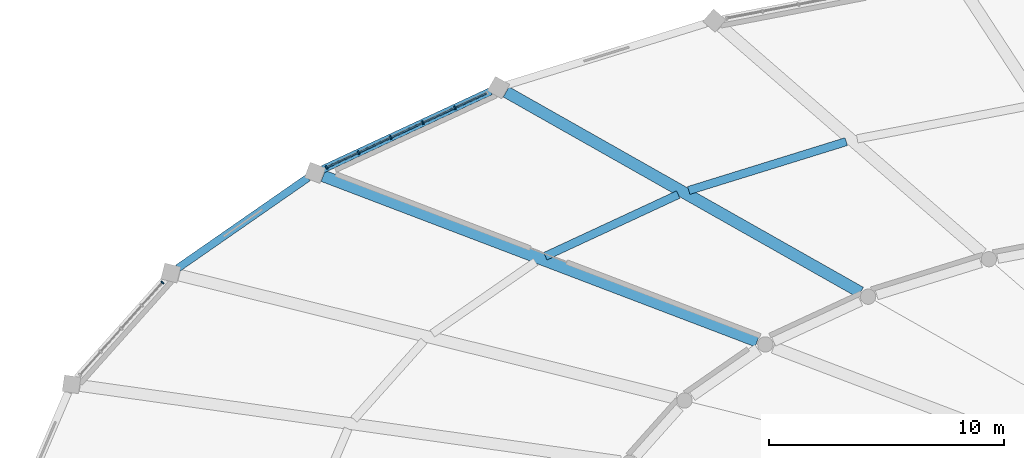
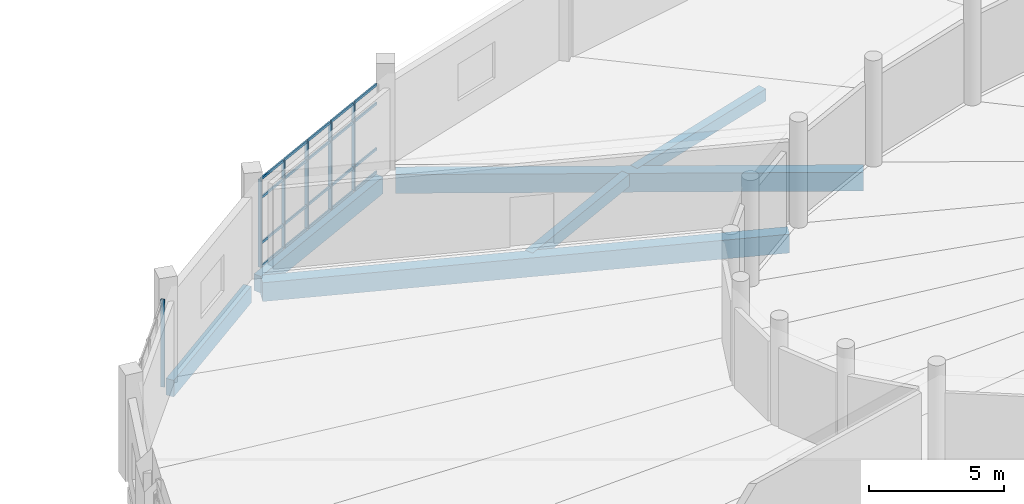
# One storey, part 79 of 179: 26 members, 6 beams, 2 elements without a shape of their own.
"""IFC4 building model written with IfcOpenShell, lengths in metres."""

from ifc_helpers import new_model, si_unit, direction, frame, origin, origin_2d, place, context, subcontext, project, spatial, rectangle, extrude, material, layer, layer_set, material_profile, profile_set, type_object, element, aggregate, save


model = new_model("IFC4")

# Units and contexts
model_context = context("Model", 3, precision=1e-05, world=origin(), true_north=direction((0.0, 1.0)))
body_context = subcontext(model_context, "Body", "Model", "MODEL_VIEW")
ifc_project = project(units=[si_unit("LENGTHUNIT", "METRE"), si_unit("AREAUNIT", "SQUARE_METRE"), si_unit("VOLUMEUNIT", "CUBIC_METRE"), si_unit("PLANEANGLEUNIT", "RADIAN"), si_unit("MASSUNIT", "GRAM", prefix="KILO")], contexts=[model_context])

# Site, building, storey
site_placement = place(None, origin())
site = spatial("IfcSite", under=ifc_project, at=site_placement, CompositionType="ELEMENT")
building_placement = place(site_placement, origin())
building = spatial("IfcBuilding", under=site, at=building_placement, Name="Corvandel Quay Wholesale Market", CompositionType="ELEMENT")
storey_placement = place(building_placement, frame((0.0, 0.0, 6.0)))
storey = spatial("IfcBuildingStorey", under=building, at=storey_placement, Name="L01", CompositionType="ELEMENT", Elevation=6.0)

# Curtain wall, members
ifc_material_1 = material(Name="Bronze anodised aluminium and low-E insulated glazing", Category="aluminium")
ifc_layer_1 = layer(ifc_material_1, 0.18603515625)
ifc_layer_set_1 = layer_set([ifc_layer_1], Name="Bronze anodised aluminium and low-E insulated glazing")
curtain_wall_type_1 = type_object("IfcCurtainWallType", Name="Stick Curtain Wall System CW18 H4620", PredefinedType="NOTDEFINED", material=ifc_layer_set_1)
curtain_wall_1_placement = place(storey_placement, origin())
curtain_wall_1 = element("IfcCurtainWall", 1, at=curtain_wall_1_placement, inside=storey, type_object=curtain_wall_type_1, Name="Curtain Wall CW-0100", PredefinedType="NOTDEFINED")
ifc_material_2 = material(Name="Anodised aluminium 6063-T6", Category="aluminium")
ifc_material_profile_1 = material_profile(ifc_material_2, rectangle(XDim=0.06494140625, YDim=0.14990234375, at=origin_2d()), Name="ALU-MUL-65x150")
ifc_profile_set_1 = profile_set([ifc_material_profile_1], Name="Anodised aluminium 6063-T6")
member_type_1 = type_object("IfcMemberType", Name="Curtain Wall Mullion ML02 65x150", PredefinedType="MULLION", material=ifc_profile_set_1)
member_1_placement = place(storey_placement, frame((76.447998046875, 135.335205078125, 0.0), z_axis=(0.0, 0.0, 1.0), x_axis=(0.906970515865, 0.421194115999, 0.0)))
member_1 = element("IfcMember", 2, at=member_1_placement, type_object=member_type_1, Name="Mullion CW-0100-M01", PredefinedType="MULLION", context=body_context, shape_type="SweptSolid", body=[
    extrude(rectangle(XDim=0.06494140625, YDim=0.14990234375, at=origin_2d()), origin(), (0.0, 0.0, 1.0), 3.949951171875),
])
member_2_placement = place(storey_placement, frame((75.083984375, 134.70166015625, 0.0), z_axis=(0.0, 0.0, 1.0), x_axis=(0.906970515865, 0.421194115999, 0.0)))
member_2 = element("IfcMember", 3, at=member_2_placement, type_object=member_type_1, Name="Mullion CW-0100-M02", PredefinedType="MULLION", context=body_context, shape_type="SweptSolid", body=[
    extrude(rectangle(XDim=0.06494140625, YDim=0.14990234375, at=origin_2d()), origin(), (0.0, 0.0, 1.0), 3.949951171875),
])
member_3_placement = place(storey_placement, frame((73.719970703125, 134.068359375, 0.0), z_axis=(0.0, 0.0, 1.0), x_axis=(0.906970515865, 0.421194115999, 0.0)))
member_3 = element("IfcMember", 4, at=member_3_placement, type_object=member_type_1, Name="Mullion CW-0100-M03", PredefinedType="MULLION", context=body_context, shape_type="SweptSolid", body=[
    extrude(rectangle(XDim=0.06494140625, YDim=0.14990234375, at=origin_2d()), origin(), (0.0, 0.0, 1.0), 3.949951171875),
])
member_4_placement = place(storey_placement, frame((72.35595703125, 133.434814453125, 0.0), z_axis=(0.0, 0.0, 1.0), x_axis=(0.906970515865, 0.421194115999, 0.0)))
member_4 = element("IfcMember", 5, at=member_4_placement, type_object=member_type_1, Name="Mullion CW-0100-M04", PredefinedType="MULLION", context=body_context, shape_type="SweptSolid", body=[
    extrude(rectangle(XDim=0.06494140625, YDim=0.14990234375, at=origin_2d()), origin(), (0.0, 0.0, 1.0), 3.949951171875),
])
member_5_placement = place(storey_placement, frame((70.99169921875, 132.801513671875, 0.0), z_axis=(0.0, 0.0, 1.0), x_axis=(0.906970515865, 0.421194115999, 0.0)))
member_5 = element("IfcMember", 6, at=member_5_placement, type_object=member_type_1, Name="Mullion CW-0100-M05", PredefinedType="MULLION", context=body_context, shape_type="SweptSolid", body=[
    extrude(rectangle(XDim=0.06494140625, YDim=0.14990234375, at=origin_2d()), origin(), (0.0, 0.0, 1.0), 3.949951171875),
])

# Curtain wall, member
ifc_layer_2 = layer(ifc_material_1, 0.14990234375)
ifc_layer_set_2 = layer_set([ifc_layer_2], Name="Bronze anodised aluminium and low-E insulated glazing")
curtain_wall_type_2 = type_object("IfcCurtainWallType", Name="Stick Curtain Wall System CW20 H4800", PredefinedType="NOTDEFINED", material=ifc_layer_set_2)
curtain_wall_2_placement = place(storey_placement, origin())
curtain_wall_2 = element("IfcCurtainWall", 7, at=curtain_wall_2_placement, inside=storey, type_object=curtain_wall_type_2, Name="Curtain Wall CW-0102", PredefinedType="NOTDEFINED")
member_6_placement = place(storey_placement, frame((64.013671875, 127.9130859375, 0.0), z_axis=(0.0, 0.0, 1.0), x_axis=(0.665621202286, 0.746289766155, 0.0)))
member_6 = element("IfcMember", 8, at=member_6_placement, type_object=member_type_1, Name="Mullion CW-0102-M00", PredefinedType="MULLION", context=body_context, shape_type="SweptSolid", body=[
    extrude(rectangle(XDim=0.06494140625, YDim=0.14990234375, at=origin_2d()), origin(), (0.0, 0.0, 1.0), 3.949951171875),
])
aggregate(curtain_wall_2, [member_6])

# Member
ifc_material_profile_2 = material_profile(ifc_material_2, rectangle(XDim=0.06005859375, YDim=0.110107421875, at=origin_2d()), Name="ALU-TRN-60x110")
ifc_profile_set_2 = profile_set([ifc_material_profile_2], Name="Anodised aluminium 6063-T6")
member_type_2 = type_object("IfcMemberType", Name="Curtain Wall Transom TR02 60x110", PredefinedType="USERDEFINED", material=ifc_profile_set_2)
member_7_placement = place(storey_placement, frame((77.78271484375, 135.954833984375, 0.0), z_axis=(-0.90701359646, -0.421101336778, 0.0), x_axis=(0.421101336778, -0.90701359646, 0.0)))
member_7 = element("IfcMember", 9, at=member_7_placement, type_object=member_type_2, Name="Transom CW-0100-T00-0", ObjectType="TRANSOM", PredefinedType="USERDEFINED", context=body_context, shape_type="SweptSolid", body=[
    extrude(rectangle(XDim=0.06005859375, YDim=0.110107421875, at=origin_2d()), origin(), (0.0, 0.0, 1.0), 1.43896484375),
])

member_8_placement = place(storey_placement, frame((77.78271484375, 135.954833984375, 1.050048828125), z_axis=(-0.90701359646, -0.421101336778, 0.0), x_axis=(0.421101336778, -0.90701359646, 0.0)))
member_8 = element("IfcMember", 10, at=member_8_placement, type_object=member_type_2, Name="Transom CW-0100-T00-1", ObjectType="TRANSOM", PredefinedType="USERDEFINED", context=body_context, shape_type="SweptSolid", body=[
    extrude(rectangle(XDim=0.06005859375, YDim=0.110107421875, at=origin_2d()), origin(), (0.0, 0.0, 1.0), 1.43896484375),
])

member_9_placement = place(storey_placement, frame((77.78271484375, 135.954833984375, 3.10009765625), z_axis=(-0.90701359646, -0.421101336778, 0.0), x_axis=(0.421101336778, -0.90701359646, 0.0)))
member_9 = element("IfcMember", 11, at=member_9_placement, type_object=member_type_2, Name="Transom CW-0100-T00-2", ObjectType="TRANSOM", PredefinedType="USERDEFINED", context=body_context, shape_type="SweptSolid", body=[
    extrude(rectangle(XDim=0.06005859375, YDim=0.110107421875, at=origin_2d()), origin(), (0.0, 0.0, 1.0), 1.43896484375),
])

member_10_placement = place(storey_placement, frame((77.78271484375, 135.954833984375, 3.949951171875), z_axis=(-0.90701359646, -0.421101336778, 0.0), x_axis=(0.421101336778, -0.90701359646, 0.0)))
member_10 = element("IfcMember", 12, at=member_10_placement, type_object=member_type_2, Name="Transom CW-0100-T00-3", ObjectType="TRANSOM", PredefinedType="USERDEFINED", context=body_context, shape_type="SweptSolid", body=[
    extrude(rectangle(XDim=0.06005859375, YDim=0.110107421875, at=origin_2d()), origin(), (0.0, 0.0, 1.0), 1.43896484375),
])

member_11_placement = place(storey_placement, frame((76.418701171875, 135.321533203125, 0.0), z_axis=(-0.906948788823, -0.421240898363, 0.0), x_axis=(0.421240898363, -0.906948788823, 0.0)))
member_11 = element("IfcMember", 13, at=member_11_placement, type_object=member_type_2, Name="Transom CW-0100-T01-0", ObjectType="TRANSOM", PredefinedType="USERDEFINED", context=body_context, shape_type="SweptSolid", body=[
    extrude(rectangle(XDim=0.06005859375, YDim=0.110107421875, at=origin_2d()), origin(), (0.0, 0.0, 1.0), 1.43896484375),
])

member_12_placement = place(storey_placement, frame((76.418701171875, 135.321533203125, 1.050048828125), z_axis=(-0.906948788823, -0.421240898363, 0.0), x_axis=(0.421240898363, -0.906948788823, 0.0)))
member_12 = element("IfcMember", 14, at=member_12_placement, type_object=member_type_2, Name="Transom CW-0100-T01-1", ObjectType="TRANSOM", PredefinedType="USERDEFINED", context=body_context, shape_type="SweptSolid", body=[
    extrude(rectangle(XDim=0.06005859375, YDim=0.110107421875, at=origin_2d()), origin(), (0.0, 0.0, 1.0), 1.43896484375),
])

member_13_placement = place(storey_placement, frame((76.418701171875, 135.321533203125, 3.10009765625), z_axis=(-0.906948788823, -0.421240898363, 0.0), x_axis=(0.421240898363, -0.906948788823, 0.0)))
member_13 = element("IfcMember", 15, at=member_13_placement, type_object=member_type_2, Name="Transom CW-0100-T01-2", ObjectType="TRANSOM", PredefinedType="USERDEFINED", context=body_context, shape_type="SweptSolid", body=[
    extrude(rectangle(XDim=0.06005859375, YDim=0.110107421875, at=origin_2d()), origin(), (0.0, 0.0, 1.0), 1.43896484375),
])

member_14_placement = place(storey_placement, frame((76.418701171875, 135.321533203125, 3.949951171875), z_axis=(-0.906948788823, -0.421240898363, 0.0), x_axis=(0.421240898363, -0.906948788823, 0.0)))
member_14 = element("IfcMember", 16, at=member_14_placement, type_object=member_type_2, Name="Transom CW-0100-T01-3", ObjectType="TRANSOM", PredefinedType="USERDEFINED", context=body_context, shape_type="SweptSolid", body=[
    extrude(rectangle(XDim=0.06005859375, YDim=0.110107421875, at=origin_2d()), origin(), (0.0, 0.0, 1.0), 1.43896484375),
])

member_15_placement = place(storey_placement, frame((75.0546875, 134.68798828125, 0.0), z_axis=(-0.90701359646, -0.421101336778, 0.0), x_axis=(0.421101336778, -0.90701359646, 0.0)))
member_15 = element("IfcMember", 17, at=member_15_placement, type_object=member_type_2, Name="Transom CW-0100-T02-0", ObjectType="TRANSOM", PredefinedType="USERDEFINED", context=body_context, shape_type="SweptSolid", body=[
    extrude(rectangle(XDim=0.06005859375, YDim=0.110107421875, at=origin_2d()), origin(), (0.0, 0.0, 1.0), 1.43896484375),
])

member_16_placement = place(storey_placement, frame((75.0546875, 134.68798828125, 1.050048828125), z_axis=(-0.90701359646, -0.421101336778, 0.0), x_axis=(0.421101336778, -0.90701359646, 0.0)))
member_16 = element("IfcMember", 18, at=member_16_placement, type_object=member_type_2, Name="Transom CW-0100-T02-1", ObjectType="TRANSOM", PredefinedType="USERDEFINED", context=body_context, shape_type="SweptSolid", body=[
    extrude(rectangle(XDim=0.06005859375, YDim=0.110107421875, at=origin_2d()), origin(), (0.0, 0.0, 1.0), 1.43896484375),
])

member_17_placement = place(storey_placement, frame((75.0546875, 134.68798828125, 3.10009765625), z_axis=(-0.90701359646, -0.421101336778, 0.0), x_axis=(0.421101336778, -0.90701359646, 0.0)))
member_17 = element("IfcMember", 19, at=member_17_placement, type_object=member_type_2, Name="Transom CW-0100-T02-2", ObjectType="TRANSOM", PredefinedType="USERDEFINED", context=body_context, shape_type="SweptSolid", body=[
    extrude(rectangle(XDim=0.06005859375, YDim=0.110107421875, at=origin_2d()), origin(), (0.0, 0.0, 1.0), 1.43896484375),
])

member_18_placement = place(storey_placement, frame((75.0546875, 134.68798828125, 3.949951171875), z_axis=(-0.90701359646, -0.421101336778, 0.0), x_axis=(0.421101336778, -0.90701359646, 0.0)))
member_18 = element("IfcMember", 20, at=member_18_placement, type_object=member_type_2, Name="Transom CW-0100-T02-3", ObjectType="TRANSOM", PredefinedType="USERDEFINED", context=body_context, shape_type="SweptSolid", body=[
    extrude(rectangle(XDim=0.06005859375, YDim=0.110107421875, at=origin_2d()), origin(), (0.0, 0.0, 1.0), 1.43896484375),
])

member_19_placement = place(storey_placement, frame((73.6904296875, 134.0546875, 0.0), z_axis=(-0.90691867852, -0.421305721004, 0.0), x_axis=(0.421305721004, -0.90691867852, 0.0)))
member_19 = element("IfcMember", 21, at=member_19_placement, type_object=member_type_2, Name="Transom CW-0100-T03-0", ObjectType="TRANSOM", PredefinedType="USERDEFINED", context=body_context, shape_type="SweptSolid", body=[
    extrude(rectangle(XDim=0.06005859375, YDim=0.110107421875, at=origin_2d()), origin(), (0.0, 0.0, 1.0), 1.43896484375),
])

member_20_placement = place(storey_placement, frame((73.6904296875, 134.0546875, 1.050048828125), z_axis=(-0.90691867852, -0.421305721004, 0.0), x_axis=(0.421305721004, -0.90691867852, 0.0)))
member_20 = element("IfcMember", 22, at=member_20_placement, type_object=member_type_2, Name="Transom CW-0100-T03-1", ObjectType="TRANSOM", PredefinedType="USERDEFINED", context=body_context, shape_type="SweptSolid", body=[
    extrude(rectangle(XDim=0.06005859375, YDim=0.110107421875, at=origin_2d()), origin(), (0.0, 0.0, 1.0), 1.43896484375),
])

member_21_placement = place(storey_placement, frame((73.6904296875, 134.0546875, 3.10009765625), z_axis=(-0.90691867852, -0.421305721004, 0.0), x_axis=(0.421305721004, -0.90691867852, 0.0)))
member_21 = element("IfcMember", 23, at=member_21_placement, type_object=member_type_2, Name="Transom CW-0100-T03-2", ObjectType="TRANSOM", PredefinedType="USERDEFINED", context=body_context, shape_type="SweptSolid", body=[
    extrude(rectangle(XDim=0.06005859375, YDim=0.110107421875, at=origin_2d()), origin(), (0.0, 0.0, 1.0), 1.43896484375),
])

member_22_placement = place(storey_placement, frame((73.6904296875, 134.0546875, 3.949951171875), z_axis=(-0.90691867852, -0.421305721004, 0.0), x_axis=(0.421305721004, -0.90691867852, 0.0)))
member_22 = element("IfcMember", 24, at=member_22_placement, type_object=member_type_2, Name="Transom CW-0100-T03-3", ObjectType="TRANSOM", PredefinedType="USERDEFINED", context=body_context, shape_type="SweptSolid", body=[
    extrude(rectangle(XDim=0.06005859375, YDim=0.110107421875, at=origin_2d()), origin(), (0.0, 0.0, 1.0), 1.43896484375),
])

member_23_placement = place(storey_placement, frame((72.326416015625, 133.421142578125, 0.0), z_axis=(-0.90701359646, -0.421101336778, 0.0), x_axis=(0.421101336778, -0.90701359646, 0.0)))
member_23 = element("IfcMember", 25, at=member_23_placement, type_object=member_type_2, Name="Transom CW-0100-T04-0", ObjectType="TRANSOM", PredefinedType="USERDEFINED", context=body_context, shape_type="SweptSolid", body=[
    extrude(rectangle(XDim=0.06005859375, YDim=0.110107421875, at=origin_2d()), origin(), (0.0, 0.0, 1.0), 1.43896484375),
])

member_24_placement = place(storey_placement, frame((72.326416015625, 133.421142578125, 1.050048828125), z_axis=(-0.90701359646, -0.421101336778, 0.0), x_axis=(0.421101336778, -0.90701359646, 0.0)))
member_24 = element("IfcMember", 26, at=member_24_placement, type_object=member_type_2, Name="Transom CW-0100-T04-1", ObjectType="TRANSOM", PredefinedType="USERDEFINED", context=body_context, shape_type="SweptSolid", body=[
    extrude(rectangle(XDim=0.06005859375, YDim=0.110107421875, at=origin_2d()), origin(), (0.0, 0.0, 1.0), 1.43896484375),
])

member_25_placement = place(storey_placement, frame((72.326416015625, 133.421142578125, 3.10009765625), z_axis=(-0.90701359646, -0.421101336778, 0.0), x_axis=(0.421101336778, -0.90701359646, 0.0)))
member_25 = element("IfcMember", 27, at=member_25_placement, type_object=member_type_2, Name="Transom CW-0100-T04-2", ObjectType="TRANSOM", PredefinedType="USERDEFINED", context=body_context, shape_type="SweptSolid", body=[
    extrude(rectangle(XDim=0.06005859375, YDim=0.110107421875, at=origin_2d()), origin(), (0.0, 0.0, 1.0), 1.43896484375),
])

member_26_placement = place(storey_placement, frame((72.326416015625, 133.421142578125, 3.949951171875), z_axis=(-0.90701359646, -0.421101336778, 0.0), x_axis=(0.421101336778, -0.90701359646, 0.0)))
member_26 = element("IfcMember", 28, at=member_26_placement, type_object=member_type_2, Name="Transom CW-0100-T04-3", ObjectType="TRANSOM", PredefinedType="USERDEFINED", context=body_context, shape_type="SweptSolid", body=[
    extrude(rectangle(XDim=0.06005859375, YDim=0.110107421875, at=origin_2d()), origin(), (0.0, 0.0, 1.0), 1.43896484375),
])

aggregate(curtain_wall_1, [member_1, member_2, member_3, member_4, member_5, member_7, member_8, member_9, member_10, member_11, member_12, member_13, member_14, member_15, member_16, member_17, member_18, member_19, member_20, member_21, member_22, member_23, member_24, member_25, member_26])

# Beams
ifc_material_3 = material(Name="Precast concrete C45/55", Category="concrete")
ifc_material_profile_3 = material_profile(ifc_material_3, rectangle(XDim=0.5, YDim=0.85009765625, at=origin_2d()), Name="PC-GIR-500x850")
ifc_profile_set_3 = profile_set([ifc_material_profile_3], Name="Precast concrete C45/55")
beam_type_1 = type_object("IfcBeamType", Name="Fish Hall Radial Girder G04 500x850", PredefinedType="USERDEFINED", material=ifc_profile_set_3)
beam_1_placement = place(storey_placement, frame((78.6240234375, 136.013916015625, -0.705078125), z_axis=(0.870343899496, -0.492444409665, 0.0), x_axis=(0.492444409665, 0.870343899496, 0.0)))
element("IfcBeam", 29, at=beam_1_placement, inside=storey, type_object=beam_type_1, Name="Beam BM-0599", ObjectType="GIRDER", PredefinedType="USERDEFINED", context=body_context, shape_type="SweptSolid", body=[
    extrude(rectangle(XDim=0.5, YDim=0.85009765625, at=origin_2d()), origin(), (0.0, 0.0, 1.0), 17.306884765625),
])
beam_2_placement = place(storey_placement, frame((70.84765625, 132.4423828125, -0.705078125), z_axis=(0.93445285879, -0.356086863979, 0.0), x_axis=(0.356086863979, 0.93445285879, 0.0)))
element("IfcBeam", 30, at=beam_2_placement, inside=storey, type_object=beam_type_1, Name="Beam BM-0606", ObjectType="GIRDER", PredefinedType="USERDEFINED", context=body_context, shape_type="SweptSolid", body=[
    extrude(rectangle(XDim=0.5, YDim=0.85009765625, at=origin_2d()), origin(), (0.0, 0.0, 1.0), 19.74169921875),
])
ifc_material_profile_4 = material_profile(ifc_material_3, rectangle(XDim=0.320068359375, YDim=0.75, at=origin_2d()), Name="PC-SPN-320x750")
ifc_profile_set_4 = profile_set([ifc_material_profile_4], Name="Precast concrete C45/55")
beam_type_2 = type_object("IfcBeamType", Name="Pavilion Precast Spandrel SP02 320x750", PredefinedType="SPANDREL", material=ifc_profile_set_4)
beam_3_placement = place(storey_placement, frame((77.96630859375, 136.040283203125, -0.655029296875), z_axis=(-0.90696955816, -0.421196178248, 0.0), x_axis=(0.421196178248, -0.90696955816, 0.0)))
element("IfcBeam", 31, at=beam_3_placement, inside=storey, type_object=beam_type_2, Name="Beam BM-0597", PredefinedType="SPANDREL", context=body_context, shape_type="SweptSolid", body=[
    extrude(rectangle(XDim=0.320068359375, YDim=0.75, at=origin_2d()), origin(), (0.0, 0.0, 1.0), 7.85986328125),
])
beam_4_placement = place(storey_placement, frame((70.197998046875, 132.36279296875, -0.655029296875), z_axis=(-0.821253683959, -0.570563218744, 0.0), x_axis=(0.570563218744, -0.821253683959, 0.0)))
element("IfcBeam", 32, at=beam_4_placement, inside=storey, type_object=beam_type_2, Name="Beam BM-0604", PredefinedType="SPANDREL", context=body_context, shape_type="SweptSolid", body=[
    extrude(rectangle(XDim=0.320068359375, YDim=0.75, at=origin_2d()), origin(), (0.0, 0.0, 1.0), 6.72265625),
])
ifc_material_profile_5 = material_profile(ifc_material_3, rectangle(XDim=0.35009765625, YDim=0.550048828125, at=origin_2d()), Name="PC-BM-350x550")
ifc_profile_set_5 = profile_set([ifc_material_profile_5], Name="Precast concrete C45/55")
beam_type_3 = type_object("IfcBeamType", Name="Standard Floor Secondary Beam B03 350x550", PredefinedType="BEAM", material=ifc_profile_set_5)
beam_5_placement = place(storey_placement, frame((93.080322265625, 133.90087890625, -0.554931640625), z_axis=(-0.955085890654, -0.296329110067, 0.0), x_axis=(0.296329110067, -0.955085890654, 0.0)))
element("IfcBeam", 33, at=beam_5_placement, inside=storey, type_object=beam_type_3, Name="Beam BM-0593", PredefinedType="BEAM", context=body_context, shape_type="SweptSolid", body=[
    extrude(rectangle(XDim=0.35009765625, YDim=0.550048828125, at=origin_2d()), origin(), (0.0, 0.0, 1.0), 7.010498046875),
])
beam_6_placement = place(storey_placement, frame((85.937744140625, 131.6513671875, -0.554931640625), z_axis=(-0.906989715191, -0.421152771019, 0.0), x_axis=(0.421152771019, -0.906989715191, 0.0)))
element("IfcBeam", 34, at=beam_6_placement, inside=storey, type_object=beam_type_3, Name="Beam BM-0600", PredefinedType="BEAM", context=body_context, shape_type="SweptSolid", body=[
    extrude(rectangle(XDim=0.35009765625, YDim=0.550048828125, at=origin_2d()), origin(), (0.0, 0.0, 1.0), 6.227783203125),
])

save(model, "model.ifc")
